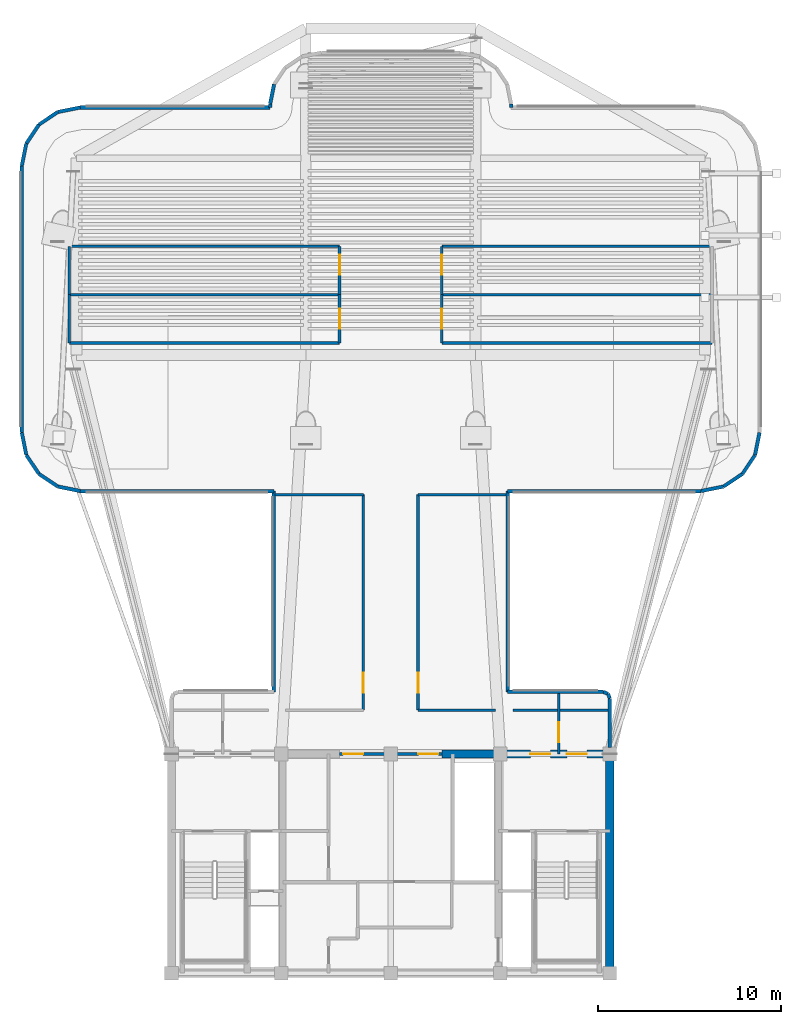
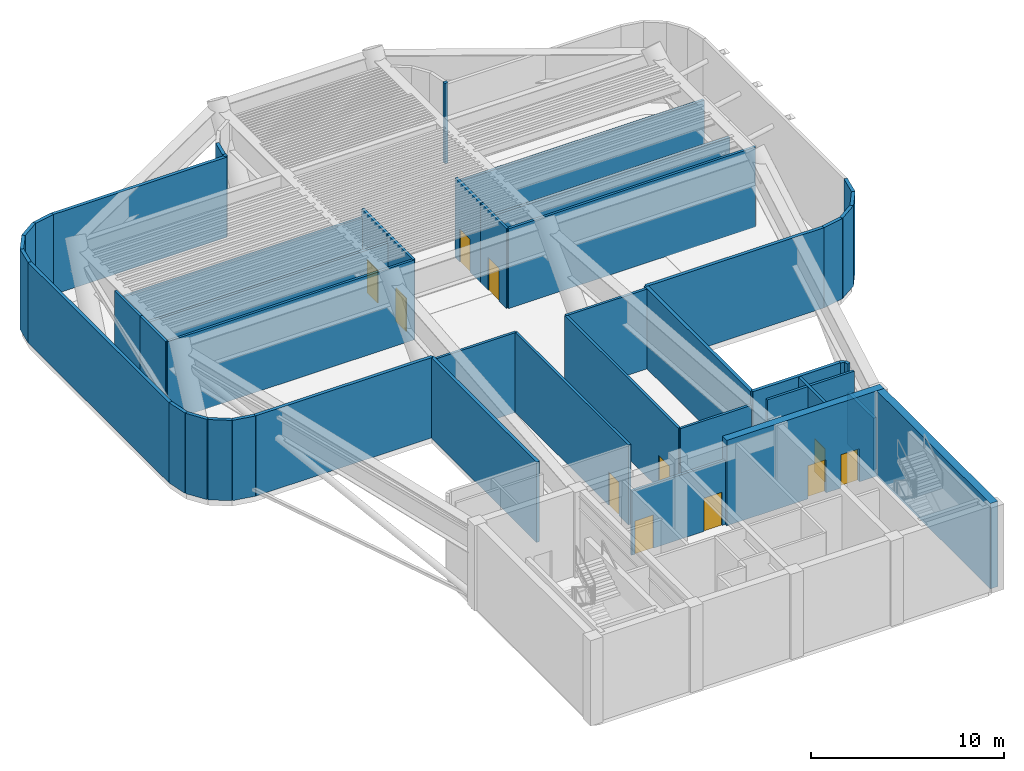
# One storey, part 6 of 11: 47 walls, 11 doors, 11 openings.
"""IFC4 building model written with IfcOpenShell, lengths in metres."""

from ifc_helpers import new_model, si_unit, direction, frame, frame_2d, origin, origin_2d, place, context, subcontext, project, spatial, rectangle, extrude, source, transform, mapped, material, layer, layer_set, type_object, element, fill, save


model = new_model("IFC4")

# Units and contexts
model_context = context("Model", 3, precision=1e-05, world=origin(), true_north=direction((0.0, 1.0)))
body_context = subcontext(model_context, "Body", "Model", "MODEL_VIEW")
ifc_project = project(units=[si_unit("LENGTHUNIT", "METRE"), si_unit("AREAUNIT", "SQUARE_METRE"), si_unit("VOLUMEUNIT", "CUBIC_METRE"), si_unit("PLANEANGLEUNIT", "RADIAN"), si_unit("MASSUNIT", "GRAM", prefix="KILO")], contexts=[model_context])

# Site, building, storey
site_placement = place(None, origin())
site = spatial("IfcSite", under=ifc_project, at=site_placement, CompositionType="ELEMENT")
building_placement = place(site_placement, origin())
building = spatial("IfcBuilding", under=site, at=building_placement, Name="Brelvock Crest Care Tower", CompositionType="ELEMENT")
storey_placement = place(building_placement, frame((0.0, 0.0, 213.1201171875)))
storey = spatial("IfcBuildingStorey", under=building, at=storey_placement, Name="L54", CompositionType="ELEMENT", Elevation=213.1201171875)

# Wall
ifc_material_1 = material(Name="Concrete S65 (65 MPa)", Category="concrete")
ifc_layer_1 = layer(ifc_material_1, 0.449951171875, Name="WL-CS3")
ifc_layer_set_1 = layer_set([ifc_layer_1], Name="Concrete S65 (65 MPa)")
wall_type_1 = type_object("IfcWallType", Name="WL-CS3", PredefinedType="SHEAR", material=ifc_layer_set_1)
wall_1_placement = place(storey_placement, frame((48.0, 18.0, 0.0), z_axis=(0.0, 0.0, 1.0), x_axis=(0.0, -1.0, 0.0)))
element("IfcWall", 1, at=wall_1_placement, inside=storey, type_object=wall_type_1, Name="L54 Core East Shear Wall", PredefinedType="SHEAR", context=body_context, shape_type="SweptSolid", body=[
    extrude(rectangle(XDim=12.0, YDim=0.449951171875, at=frame_2d((6.0, 0.0))), origin(), (0.0, 0.0, 1.0), 5.39990234375),
])

# Wall, openings, doors
wall_2_placement = place(storey_placement, frame((38.800048828125, 18.0, 0.0), z_axis=(0.0, 0.0, 1.0), x_axis=(1.0, 0.0, 0.0)))
wall_2 = element("IfcWall", 2, at=wall_2_placement, inside=storey, type_object=wall_type_1, Name="L54 Core North-East Shear Wall", PredefinedType="SHEAR", context=body_context, shape_type="SweptSolid", body=[
    extrude(rectangle(XDim=9.425048828125, YDim=0.449951171875, at=frame_2d((4.71240234375, 0.0))), origin(), (0.0, 0.0, 1.0), 5.39990234375),
])
opening_1_placement = place(wall_2_placement, frame((4.85009765625, 0.0, 0.0)))
opening_1 = element("IfcOpeningElement", 3, at=opening_1_placement, cuts=wall_2, Name="Opening FD-1", PredefinedType="OPENING", context=body_context, shape_type="SweptSolid", body=[
    extrude(rectangle(XDim=1.10009765625, YDim=2.10009765625, at=origin_2d()), frame((0.550048828125, 0.23486328125, 1.050048828125), z_axis=(0.0, -1.0, 0.0), x_axis=(1.0, 0.0, 0.0)), (0.0, 0.0, 1.0), 0.469970703125),
])
opening_2_placement = place(wall_2_placement, frame((6.85009765625, 0.0, 0.0)))
opening_2 = element("IfcOpeningElement", 4, at=opening_2_placement, cuts=wall_2, Name="Opening FD-1", PredefinedType="OPENING", context=body_context, shape_type="SweptSolid", body=[
    extrude(rectangle(XDim=1.10009765625, YDim=2.10009765625, at=origin_2d()), frame((0.550048828125, 0.23486328125, 1.050048828125), z_axis=(0.0, -1.0, 0.0), x_axis=(1.0, 0.0, 0.0)), (0.0, 0.0, 1.0), 0.469970703125),
])
ifc_material_2 = material(Name="Steel Grade 350", Category="steel")
door_type_1 = type_object("IfcDoorType", Name="DR-FFL1", OperationType="NOTDEFINED", PredefinedType="DOOR", material=ifc_material_2)
shared_shape_1 = source(origin(), body_context, "Body", "SweptSolid", [
    extrude(rectangle(XDim=1.10009765625, YDim=2.10009765625, at=origin_2d()), frame((0.550048828125, 0.02490234375, 1.050048828125), z_axis=(0.0, -1.0, 0.0), x_axis=(1.0, 0.0, 0.0)), (0.0, 0.0, 1.0), 0.050048828125),
])
door_1_placement = place(opening_1_placement, origin())
door_1 = element("IfcDoor", 5, at=door_1_placement, inside=storey, type_object=door_type_1, Name="L54 Firefighting Lobby FFL-2 Corridor Exit Door", OperationType="SINGLE_SWING_LEFT", OverallHeight=2.10009765625, OverallWidth=1.10009765625, PredefinedType="DOOR", context=body_context, shape_type="MappedRepresentation", body=[
    mapped(shared_shape_1, transform((0.0, 0.0, 0.0), x_axis=(1.0, 0.0, 0.0), y_axis=(0.0, 1.0, 0.0), z_axis=(0.0, 0.0, 1.0), scale=1.0)),
])
fill(opening_1, door_1)
door_2_placement = place(opening_2_placement, origin())
door_2 = element("IfcDoor", 6, at=door_2_placement, inside=storey, type_object=door_type_1, Name="L54 Firefighting Lobby FFL-2 Refuge Door", OperationType="SINGLE_SWING_RIGHT", OverallHeight=2.10009765625, OverallWidth=1.10009765625, PredefinedType="DOOR", context=body_context, shape_type="MappedRepresentation", body=[
    mapped(shared_shape_1, transform((0.0, 0.0, 0.0), x_axis=(1.0, 0.0, 0.0), y_axis=(0.0, 1.0, 0.0), z_axis=(0.0, 0.0, 1.0), scale=1.0)),
])
fill(opening_2, door_2)

# Walls
ifc_material_3 = material(Name="Precast concrete N40 (40 MPa)", Category="concrete")
ifc_layer_2 = layer(ifc_material_3, 0.195068359375, Name="WL-EX3")
ifc_layer_set_2 = layer_set([ifc_layer_2], Name="Precast concrete N40 (40 MPa)")
wall_type_2 = type_object("IfcWallType", Name="WL-EX3", PredefinedType="SOLIDWALL", material=ifc_layer_set_2)
wall_3_placement = place(storey_placement, frame((47.8974609375, 21.297607421875, 0.0), z_axis=(0.0, 0.0, 1.0), x_axis=(0.382673670509, -0.923883575944, 0.0)))
element("IfcWall", 7, at=wall_3_placement, inside=storey, type_object=wall_type_2, Name="L54 Crown and Plant Cladding Wall 00", PredefinedType="SOLIDWALL", context=body_context, shape_type="SweptSolid", body=[
    extrude(rectangle(XDim=0.26806640625, YDim=0.195068359375, at=frame_2d((0.134033203125, 0.0))), origin(), (0.0, 0.0, 1.0), 5.079833984375),
])
wall_4_placement = place(storey_placement, frame((48.0, 21.050048828125, 0.0), z_axis=(0.0, 0.0, 1.0), x_axis=(0.0, -1.0, 0.0)))
element("IfcWall", 8, at=wall_4_placement, inside=storey, type_object=wall_type_2, Name="L54 Crown and Plant Cladding Wall 01", PredefinedType="SOLIDWALL", context=body_context, shape_type="SweptSolid", body=[
    extrude(rectangle(XDim=2.695068359375, YDim=0.195068359375, at=frame_2d((1.34765625, 0.0))), origin(), (0.0, 0.0, 1.0), 3.267822265625),
])
wall_5_placement = place(storey_placement, frame((29.60009765625, 21.39990234375, 0.0), z_axis=(0.0, 0.0, 1.0), x_axis=(0.0, 1.0, 0.0)))
element("IfcWall", 9, at=wall_5_placement, inside=storey, type_object=wall_type_2, Name="L54 Crown and Plant Cladding Wall 11", PredefinedType="SOLIDWALL", context=body_context, shape_type="SweptSolid", body=[
    extrude(rectangle(XDim=11.0, YDim=0.195068359375, at=frame_2d((5.5, 0.0))), origin(), (0.0, 0.0, 1.0), 5.079833984375),
])
wall_6_placement = place(storey_placement, frame((29.60009765625, 32.39990234375, 0.0), z_axis=(0.0, 0.0, 1.0), x_axis=(-1.0, 0.0, 0.0)))
element("IfcWall", 10, at=wall_6_placement, inside=storey, type_object=wall_type_2, Name="L54 Crown and Plant Cladding Wall 12", PredefinedType="SOLIDWALL", context=body_context, shape_type="SweptSolid", body=[
    extrude(rectangle(XDim=10.60009765625, YDim=0.195068359375, at=frame_2d((5.300048828125, 0.0))), origin(), (0.0, 0.0, 1.0), 5.079833984375),
])
for number, where, z_axis, x_axis, name in (
    (11, (19.0, 32.39990234375, 0.0), (0.0, 0.0, 1.0), (-0.980775717779, 0.195138390419, 0.0), "L54 Crown and Plant Cladding Wall 13"),
    (12, (17.775390625, 32.6435546875, 0.0), (0.0, 0.0, 1.0), (-0.831387912822, 0.555692485475, 0.0), "L54 Crown and Plant Cladding Wall 14"),
    (13, (16.7373046875, 33.33740234375, 0.0), (0.0, 0.0, 1.0), (-0.555557312883, 0.831478245117, 0.0), "L54 Crown and Plant Cladding Wall 15"),
    (14, (16.043701171875, 34.37548828125, 0.0), (0.0, 0.0, 1.0), (-0.195138390419, 0.980775717779, 0.0), "L54 Crown and Plant Cladding Wall 16"),
):
    element("IfcWall", number, at=place(storey_placement, frame(where, z_axis=z_axis, x_axis=x_axis)), inside=storey, type_object=wall_type_2, Name=name, PredefinedType="SOLIDWALL", context=body_context, shape_type="SweptSolid", body=[
        extrude(rectangle(XDim=1.24853515625, YDim=0.195068359375, at=frame_2d((0.624267578125, 0.0))), origin(), (0.0, 0.0, 1.0), 5.079833984375),
    ])
wall_7_placement = place(storey_placement, frame((15.800048828125, 35.60009765625, 0.0), z_axis=(0.0, 0.0, 1.0), x_axis=(0.0, 1.0, 0.0)))
element("IfcWall", 15, at=wall_7_placement, inside=storey, type_object=wall_type_2, Name="L54 Crown and Plant Cladding Wall 17", PredefinedType="SOLIDWALL", context=body_context, shape_type="SweptSolid", body=[
    extrude(rectangle(XDim=14.599853515625, YDim=0.195068359375, at=frame_2d((7.2998046875, 0.0))), origin(), (0.0, 0.0, 1.0), 5.079833984375),
])
for number, where, z_axis, x_axis, name in (
    (16, (15.800048828125, 50.199951171875, 0.0), (0.0, 0.0, 1.0), (0.195138390419, 0.980775717779, 0.0), "L54 Crown and Plant Cladding Wall 18"),
    (17, (16.043701171875, 51.424560546875, 0.0), (0.0, 0.0, 1.0), (0.555557312883, 0.831478245117, 0.0), "L54 Crown and Plant Cladding Wall 19"),
    (18, (16.7373046875, 52.462646484375, 0.0), (0.0, 0.0, 1.0), (0.831387912822, 0.555692485475, 0.0), "L54 Crown and Plant Cladding Wall 20"),
    (19, (17.775390625, 53.156494140625, 0.0), (0.0, 0.0, 1.0), (0.980813122964, 0.194950295773, 0.0), "L54 Crown and Plant Cladding Wall 21"),
):
    element("IfcWall", number, at=place(storey_placement, frame(where, z_axis=z_axis, x_axis=x_axis)), inside=storey, type_object=wall_type_2, Name=name, PredefinedType="SOLIDWALL", context=body_context, shape_type="SweptSolid", body=[
        extrude(rectangle(XDim=1.24853515625, YDim=0.195068359375, at=frame_2d((0.624267578125, 0.0))), origin(), (0.0, 0.0, 1.0), 5.079833984375),
    ])
wall_8_placement = place(storey_placement, frame((19.0, 53.39990234375, 0.0), z_axis=(0.0, 0.0, 1.0), x_axis=(1.0, 0.0, 0.0)))
element("IfcWall", 20, at=wall_8_placement, inside=storey, type_object=wall_type_2, Name="L54 Crown and Plant Cladding Wall 22", PredefinedType="SOLIDWALL", context=body_context, shape_type="SweptSolid", body=[
    extrude(rectangle(XDim=10.39990234375, YDim=0.195068359375, at=frame_2d((5.199951171875, 0.0))), origin(), (0.0, 0.0, 1.0), 5.079833984375),
])
wall_9_placement = place(storey_placement, frame((29.39990234375, 53.39990234375, 0.0), z_axis=(0.0, 0.0, 1.0), x_axis=(0.0, 1.0, 0.0)))
element("IfcWall", 21, at=wall_9_placement, inside=storey, type_object=wall_type_2, Name="L54 Crown and Plant Cladding Wall 23", PredefinedType="SOLIDWALL", context=body_context, shape_type="SweptSolid", body=[
    extrude(rectangle(XDim=0.2001953125, YDim=0.195068359375, at=frame_2d((0.10009765625, 0.0))), origin(), (0.0, 0.0, 1.0), 5.079833984375),
])
wall_10_placement = place(storey_placement, frame((29.39990234375, 53.60009765625, 0.0), z_axis=(0.0, 0.0, 1.0), x_axis=(0.195127417394, 0.980777900945, 0.0)))
element("IfcWall", 22, at=wall_10_placement, inside=storey, type_object=wall_type_2, Name="L54 Crown and Plant Cladding Wall 24", PredefinedType="SOLIDWALL", context=body_context, shape_type="SweptSolid", body=[
    extrude(rectangle(XDim=1.09228515625, YDim=0.195068359375, at=frame_2d((0.546142578125, 0.0))), origin(), (0.0, 0.0, 1.0), 5.079833984375),
])
wall_11_placement = place(storey_placement, frame((42.60009765625, 53.60009765625, 0.0), z_axis=(0.0, 0.0, 1.0), x_axis=(0.0, -1.0, 0.0)))
element("IfcWall", 23, at=wall_11_placement, inside=storey, type_object=wall_type_2, Name="L54 Crown and Plant Cladding Wall 33", PredefinedType="SOLIDWALL", context=body_context, shape_type="SweptSolid", body=[
    extrude(rectangle(XDim=0.2001953125, YDim=0.195068359375, at=frame_2d((0.10009765625, 0.0))), origin(), (0.0, 0.0, 1.0), 5.079833984375),
])
for number, where, z_axis, x_axis, name in (
    (24, (56.199951171875, 35.60009765625, 0.0), (0.0, 0.0, 1.0), (-0.195138390419, -0.980775717779, 0.0), "L54 Crown and Plant Cladding Wall 40"),
    (25, (55.956298828125, 34.37548828125, 0.0), (0.0, 0.0, 1.0), (-0.555557312883, -0.831478245117, 0.0), "L54 Crown and Plant Cladding Wall 41"),
    (26, (55.2626953125, 33.33740234375, 0.0), (0.0, 0.0, 1.0), (-0.831387912822, -0.555692485475, 0.0), "L54 Crown and Plant Cladding Wall 42"),
    (27, (54.224609375, 32.6435546875, 0.0), (0.0, 0.0, 1.0), (-0.980775717779, -0.195138390419, 0.0), "L54 Crown and Plant Cladding Wall 43"),
):
    element("IfcWall", number, at=place(storey_placement, frame(where, z_axis=z_axis, x_axis=x_axis)), inside=storey, type_object=wall_type_2, Name=name, PredefinedType="SOLIDWALL", context=body_context, shape_type="SweptSolid", body=[
        extrude(rectangle(XDim=1.24853515625, YDim=0.195068359375, at=frame_2d((0.624267578125, 0.0))), origin(), (0.0, 0.0, 1.0), 5.079833984375),
    ])
wall_12_placement = place(storey_placement, frame((53.0, 32.39990234375, 0.0), z_axis=(0.0, 0.0, 1.0), x_axis=(-1.0, 0.0, 0.0)))
element("IfcWall", 28, at=wall_12_placement, inside=storey, type_object=wall_type_2, Name="L54 Crown and Plant Cladding Wall 44", PredefinedType="SOLIDWALL", context=body_context, shape_type="SweptSolid", body=[
    extrude(rectangle(XDim=10.60009765625, YDim=0.195068359375, at=frame_2d((5.300048828125, 0.0))), origin(), (0.0, 0.0, 1.0), 5.079833984375),
])
wall_13_placement = place(storey_placement, frame((42.39990234375, 32.39990234375, 0.0), z_axis=(0.0, 0.0, 1.0), x_axis=(0.0, -1.0, 0.0)))
element("IfcWall", 29, at=wall_13_placement, inside=storey, type_object=wall_type_2, Name="L54 Crown and Plant Cladding Wall 45", PredefinedType="SOLIDWALL", context=body_context, shape_type="SweptSolid", body=[
    extrude(rectangle(XDim=11.0, YDim=0.195068359375, at=frame_2d((5.5, 0.0))), origin(), (0.0, 0.0, 1.0), 5.079833984375),
])
wall_14_placement = place(storey_placement, frame((42.39990234375, 21.39990234375, 0.0), z_axis=(0.0, 0.0, 1.0), x_axis=(1.0, 0.0, 0.0)))
element("IfcWall", 30, at=wall_14_placement, inside=storey, type_object=wall_type_2, Name="L54 Crown and Plant Cladding Wall 46", PredefinedType="SOLIDWALL", context=body_context, shape_type="SweptSolid", body=[
    extrude(rectangle(XDim=5.25, YDim=0.195068359375, at=frame_2d((2.625, 0.0))), origin(), (0.0, 0.0, 1.0), 5.079833984375),
])
wall_15_placement = place(storey_placement, frame((47.64990234375, 21.39990234375, 0.0), z_axis=(0.0, 0.0, 1.0), x_axis=(0.924205486139, -0.381895560841, 0.0)))
element("IfcWall", 31, at=wall_15_placement, inside=storey, type_object=wall_type_2, Name="L54 Crown and Plant Cladding Wall 47", PredefinedType="SOLIDWALL", context=body_context, shape_type="SweptSolid", body=[
    extrude(rectangle(XDim=0.267822265625, YDim=0.195068359375, at=frame_2d((0.1337890625, 0.0))), origin(), (0.0, 0.0, 1.0), 5.079833984375),
])

# Wall, openings, doors
ifc_material_4 = material(Name="Masonry Blockwork Acoustic Partition", Category="masonry")
ifc_layer_3 = layer(ifc_material_4, 0.14990234375, Name="WL-INT1")
ifc_layer_set_3 = layer_set([ifc_layer_3], Name="Masonry Blockwork Acoustic Partition")
wall_type_3 = type_object("IfcWallType", Name="WL-INT1", PredefinedType="PARTITIONING", material=ifc_layer_set_3)
wall_16_placement = place(storey_placement, frame((33.199951171875, 18.0, 0.0), z_axis=(0.0, 0.0, 1.0), x_axis=(1.0, 0.0, 0.0)))
wall_16 = element("IfcWall", 32, at=wall_16_placement, inside=storey, type_object=wall_type_3, Name="L54 Interior Wall WL-CORE-NPORT-L54", PredefinedType="PARTITIONING", context=body_context, shape_type="SweptSolid", body=[
    extrude(rectangle(XDim=5.60009765625, YDim=0.14990234375, at=frame_2d((2.800048828125, 0.0))), origin(), (0.0, 0.0, 1.0), 4.06494140625),
])
opening_3_placement = place(wall_16_placement, frame((0.18994140625, 0.0, 0.0)))
opening_3 = element("IfcOpeningElement", 33, at=opening_3_placement, cuts=wall_16, Name="Opening FD-1", PredefinedType="OPENING", context=body_context, shape_type="SweptSolid", body=[
    extrude(rectangle(XDim=1.10009765625, YDim=2.10009765625, at=origin_2d()), frame((0.550048828125, 0.0849609375, 1.050048828125), z_axis=(0.0, -1.0, 0.0), x_axis=(1.0, 0.0, 0.0)), (0.0, 0.0, 1.0), 0.169921875),
])
opening_4_placement = place(wall_16_placement, frame((4.31005859375, 0.0, 0.0)))
opening_4 = element("IfcOpeningElement", 34, at=opening_4_placement, cuts=wall_16, Name="Opening FD-1", PredefinedType="OPENING", context=body_context, shape_type="SweptSolid", body=[
    extrude(rectangle(XDim=1.10009765625, YDim=2.10009765625, at=origin_2d()), frame((0.550048828125, 0.0849609375, 1.050048828125), z_axis=(0.0, -1.0, 0.0), x_axis=(1.0, 0.0, 0.0)), (0.0, 0.0, 1.0), 0.169921875),
])
door_3_placement = place(opening_3_placement, origin())
door_3 = element("IfcDoor", 35, at=door_3_placement, inside=storey, type_object=door_type_1, Name="L54 Lift Lobby North Smoke Door West", OperationType="SINGLE_SWING_LEFT", OverallHeight=2.10009765625, OverallWidth=1.10009765625, PredefinedType="DOOR", context=body_context, shape_type="MappedRepresentation", body=[
    mapped(shared_shape_1, transform((0.0, 0.0, 0.0), x_axis=(1.0, 0.0, 0.0), y_axis=(0.0, 1.0, 0.0), z_axis=(0.0, 0.0, 1.0), scale=1.0)),
])
fill(opening_3, door_3)
door_4_placement = place(opening_4_placement, origin())
door_4 = element("IfcDoor", 36, at=door_4_placement, inside=storey, type_object=door_type_1, Name="L54 Lift Lobby North Smoke Door East", OperationType="SINGLE_SWING_RIGHT", OverallHeight=2.10009765625, OverallWidth=1.10009765625, PredefinedType="DOOR", context=body_context, shape_type="MappedRepresentation", body=[
    mapped(shared_shape_1, transform((0.0, 0.0, 0.0), x_axis=(1.0, 0.0, 0.0), y_axis=(0.0, 1.0, 0.0), z_axis=(0.0, 0.0, 1.0), scale=1.0)),
])
fill(opening_4, door_4)

# Walls
wall_17_placement = place(storey_placement, frame((37.5, 20.39990234375, 0.0), z_axis=(0.0, 0.0, 1.0), x_axis=(1.0, 0.0, 0.0)))
element("IfcWall", 37, at=wall_17_placement, inside=storey, type_object=wall_type_3, Name="L54 Interior Wall WL-BX-L54-REFNE-S", PredefinedType="PARTITIONING", context=body_context, shape_type="SweptSolid", body=[
    extrude(rectangle(XDim=4.25, YDim=0.14990234375, at=frame_2d((2.125, 0.0))), origin(), (0.0, 0.0, 1.0), 5.0498046875),
])
wall_18_placement = place(storey_placement, frame((42.699951171875, 20.39990234375, 0.0), z_axis=(0.0, 0.0, 1.0), x_axis=(1.0, 0.0, 0.0)))
element("IfcWall", 38, at=wall_18_placement, inside=storey, type_object=wall_type_3, Name="L54 Interior Wall WL-BX-L54-REFE-N", PredefinedType="PARTITIONING", context=body_context, shape_type="SweptSolid", body=[
    extrude(rectangle(XDim=5.219970703125, YDim=0.14990234375, at=frame_2d((2.60986328125, 0.0))), origin(), (0.0, 0.0, 1.0), 5.0498046875),
])
for number, where, z_axis, x_axis, name in (
    (39, (29.678466796875, 32.199951171875, 0.0), (0.0, 0.0, 1.0), (1.0, 0.0, 0.0), "L54 Interior Wall WL-BX-L54-REFNW-N"),
    (40, (37.5, 32.199951171875, 0.0), (0.0, 0.0, 1.0), (1.0, 0.0, 0.0), "L54 Interior Wall WL-BX-L54-REFNE-N"),
):
    element("IfcWall", number, at=place(storey_placement, frame(where, z_axis=z_axis, x_axis=x_axis)), inside=storey, type_object=wall_type_3, Name=name, PredefinedType="PARTITIONING", context=body_context, shape_type="SweptSolid", body=[
        extrude(rectangle(XDim=4.821533203125, YDim=0.14990234375, at=frame_2d((2.41064453125, 0.0))), origin(), (0.0, 0.0, 1.0), 5.0498046875),
    ])
for number, where, z_axis, x_axis, name in (
    (41, (18.39990234375, 40.5, 0.0), (0.0, 0.0, 1.0), (1.0, 0.0, 0.0), "L54 Interior Wall WL-BX-L54-AHUW-S"),
    (42, (38.800048828125, 40.5, 0.0), (0.0, 0.0, 1.0), (1.0, 0.0, 0.0), "L54 Interior Wall WL-BX-L54-CHLE-S"),
):
    element("IfcWall", number, at=place(storey_placement, frame(where, z_axis=z_axis, x_axis=x_axis)), inside=storey, type_object=wall_type_3, Name=name, PredefinedType="PARTITIONING", context=body_context, shape_type="SweptSolid", body=[
        extrude(rectangle(XDim=14.800048828125, YDim=0.14990234375, at=frame_2d((7.39990234375, 0.0))), origin(), (0.0, 0.0, 1.0), 5.0498046875),
    ])
wall_19_placement = place(storey_placement, frame((18.39990234375, 43.14990234375, 0.0), z_axis=(0.0, 0.0, 1.0), x_axis=(1.0, 0.0, 0.0)))
element("IfcWall", 43, at=wall_19_placement, inside=storey, type_object=wall_type_3, Name="L54 Interior Wall WL-BX-L54-AHUW-N", PredefinedType="PARTITIONING", context=body_context, shape_type="SweptSolid", body=[
    extrude(rectangle(XDim=14.800048828125, YDim=0.14990234375, at=frame_2d((7.39990234375, 0.0))), origin(), (0.0, 0.0, 1.0), 4.531982421875),
])
wall_20_placement = place(storey_placement, frame((38.800048828125, 43.14990234375, 0.0), z_axis=(0.0, 0.0, 1.0), x_axis=(1.0, 0.0, 0.0)))
element("IfcWall", 44, at=wall_20_placement, inside=storey, type_object=wall_type_3, Name="L54 Interior Wall WL-BX-L54-CHLE-N", PredefinedType="PARTITIONING", context=body_context, shape_type="SweptSolid", body=[
    extrude(rectangle(XDim=14.800048828125, YDim=0.14990234375, at=frame_2d((7.39990234375, 0.0))), origin(), (0.0, 0.0, 1.0), 4.06494140625),
])
wall_21_placement = place(storey_placement, frame((18.39990234375, 45.800048828125, 0.0), z_axis=(0.0, 0.0, 1.0), x_axis=(1.0, 0.0, 0.0)))
element("IfcWall", 45, at=wall_21_placement, inside=storey, type_object=wall_type_3, Name="L54 Interior Wall WL-BX-L54-PMPW-N", PredefinedType="PARTITIONING", context=body_context, shape_type="SweptSolid", body=[
    extrude(rectangle(XDim=14.800048828125, YDim=0.14990234375, at=frame_2d((7.39990234375, 0.0))), origin(), (0.0, 0.0, 1.0), 4.531982421875),
])
wall_22_placement = place(storey_placement, frame((38.800048828125, 45.800048828125, 0.0), z_axis=(0.0, 0.0, 1.0), x_axis=(1.0, 0.0, 0.0)))
element("IfcWall", 46, at=wall_22_placement, inside=storey, type_object=wall_type_3, Name="L54 Interior Wall WL-BX-L54-SWGE-N", PredefinedType="PARTITIONING", context=body_context, shape_type="SweptSolid", body=[
    extrude(rectangle(XDim=14.800048828125, YDim=0.14990234375, at=frame_2d((7.39990234375, 0.0))), origin(), (0.0, 0.0, 1.0), 4.808837890625),
])
wall_23_placement = place(storey_placement, frame((18.39990234375, 40.5, 0.0), z_axis=(0.0, 0.0, 1.0), x_axis=(0.0, 1.0, 0.0)))
element("IfcWall", 47, at=wall_23_placement, inside=storey, type_object=wall_type_3, Name="L54 Interior Wall WL-BX-L54-AHUW-W", PredefinedType="PARTITIONING", context=body_context, shape_type="SweptSolid", body=[
    extrude(rectangle(XDim=2.64990234375, YDim=0.14990234375, at=frame_2d((1.324951171875, 0.0))), origin(), (0.0, 0.0, 1.0), 5.0498046875),
])
wall_24_placement = place(storey_placement, frame((18.39990234375, 43.14990234375, 0.0), z_axis=(0.0, 0.0, 1.0), x_axis=(0.0, 1.0, 0.0)))
element("IfcWall", 48, at=wall_24_placement, inside=storey, type_object=wall_type_3, Name="L54 Interior Wall WL-BX-L54-PMPW-W", PredefinedType="PARTITIONING", context=body_context, shape_type="SweptSolid", body=[
    extrude(rectangle(XDim=2.650146484375, YDim=0.14990234375, at=frame_2d((1.3251953125, 0.0))), origin(), (0.0, 0.0, 1.0), 5.0498046875),
])

# Wall, opening, door
wall_25_placement = place(storey_placement, frame((33.199951171875, 40.5, 0.0), z_axis=(0.0, 0.0, 1.0), x_axis=(0.0, 1.0, 0.0)))
wall_25 = element("IfcWall", 49, at=wall_25_placement, inside=storey, type_object=wall_type_3, Name="L54 Interior Wall WL-RM-L54-AHUW", PredefinedType="PARTITIONING", context=body_context, shape_type="SweptSolid", body=[
    extrude(rectangle(XDim=2.64990234375, YDim=0.14990234375, at=frame_2d((1.324951171875, 0.0))), origin(), (0.0, 0.0, 1.0), 5.0498046875),
])
opening_5_placement = place(wall_25_placement, frame((0.77490234375, 0.0, 0.0)))
opening_5 = element("IfcOpeningElement", 50, at=opening_5_placement, cuts=wall_25, Name="Opening PD-1", PredefinedType="OPENING", context=body_context, shape_type="SweptSolid", body=[
    extrude(rectangle(XDim=1.10009765625, YDim=2.10009765625, at=origin_2d()), frame((0.550048828125, 0.0849609375, 1.050048828125), z_axis=(0.0, -1.0, 0.0), x_axis=(1.0, 0.0, 0.0)), (0.0, 0.0, 1.0), 0.169921875),
])
door_type_2 = type_object("IfcDoorType", Name="DR-PLT1", OperationType="NOTDEFINED", PredefinedType="DOOR", material=ifc_material_2)
shared_shape_2 = source(origin(), body_context, "Body", "SweptSolid", [
    extrude(rectangle(XDim=1.10009765625, YDim=2.10009765625, at=origin_2d()), frame((0.550048828125, 0.02490234375, 1.050048828125), z_axis=(0.0, -1.0, 0.0), x_axis=(1.0, 0.0, 0.0)), (0.0, 0.0, 1.0), 0.050048828125),
])
door_5_placement = place(opening_5_placement, origin())
door_5 = element("IfcDoor", 51, at=door_5_placement, inside=storey, type_object=door_type_2, Name="L54 Zone Air Handling Mechanical Plant Door AHUW", OperationType="SINGLE_SWING_LEFT", OverallHeight=2.10009765625, OverallWidth=1.10009765625, PredefinedType="DOOR", context=body_context, shape_type="MappedRepresentation", body=[
    mapped(shared_shape_2, transform((0.0, 0.0, 0.0), x_axis=(1.0, 0.0, 0.0), y_axis=(0.0, 1.0, 0.0), z_axis=(0.0, 0.0, 1.0), scale=1.0)),
])
fill(opening_5, door_5)

wall_26_placement = place(storey_placement, frame((33.199951171875, 43.14990234375, 0.0), z_axis=(0.0, 0.0, 1.0), x_axis=(0.0, 1.0, 0.0)))
wall_26 = element("IfcWall", 52, at=wall_26_placement, inside=storey, type_object=wall_type_3, Name="L54 Interior Wall WL-RM-L54-PMPW", PredefinedType="PARTITIONING", context=body_context, shape_type="SweptSolid", body=[
    extrude(rectangle(XDim=2.650146484375, YDim=0.14990234375, at=frame_2d((1.3251953125, 0.0))), origin(), (0.0, 0.0, 1.0), 5.0498046875),
])
opening_6_placement = place(wall_26_placement, frame((1.094970703125, 0.0, 0.0)))
opening_6 = element("IfcOpeningElement", 53, at=opening_6_placement, cuts=wall_26, Name="Opening PD-1", PredefinedType="OPENING", context=body_context, shape_type="SweptSolid", body=[
    extrude(rectangle(XDim=1.10009765625, YDim=2.10009765625, at=origin_2d()), frame((0.550048828125, 0.0849609375, 1.050048828125), z_axis=(0.0, -1.0, 0.0), x_axis=(1.0, 0.0, 0.0)), (0.0, 0.0, 1.0), 0.169921875),
])
door_6_placement = place(opening_6_placement, origin())
door_6 = element("IfcDoor", 54, at=door_6_placement, inside=storey, type_object=door_type_2, Name="L54 Domestic Booster Pump Plant Room Door PMPW", OperationType="SINGLE_SWING_LEFT", OverallHeight=2.10009765625, OverallWidth=1.10009765625, PredefinedType="DOOR", context=body_context, shape_type="MappedRepresentation", body=[
    mapped(shared_shape_2, transform((0.0, 0.0, 0.0), x_axis=(1.0, 0.0, 0.0), y_axis=(0.0, 1.0, 0.0), z_axis=(0.0, 0.0, 1.0), scale=1.0)),
])
fill(opening_6, door_6)

wall_27_placement = place(storey_placement, frame((34.5, 20.39990234375, 0.0), z_axis=(0.0, 0.0, 1.0), x_axis=(0.0, 1.0, 0.0)))
wall_27 = element("IfcWall", 55, at=wall_27_placement, inside=storey, type_object=wall_type_3, Name="L54 Interior Wall WL-RM-L54-REFNW", PredefinedType="PARTITIONING", context=body_context, shape_type="SweptSolid", body=[
    extrude(rectangle(XDim=11.800048828125, YDim=0.14990234375, at=frame_2d((5.89990234375, 0.0))), origin(), (0.0, 0.0, 1.0), 5.0498046875),
])
opening_7_placement = place(wall_27_placement, frame((0.949951171875, 0.0, 0.0)))
opening_7 = element("IfcOpeningElement", 56, at=opening_7_placement, cuts=wall_27, Name="Opening PD-1", PredefinedType="OPENING", context=body_context, shape_type="SweptSolid", body=[
    extrude(rectangle(XDim=1.10009765625, YDim=2.10009765625, at=origin_2d()), frame((0.550048828125, 0.0849609375, 1.050048828125), z_axis=(0.0, -1.0, 0.0), x_axis=(1.0, 0.0, 0.0)), (0.0, 0.0, 1.0), 0.169921875),
])
door_7_placement = place(opening_7_placement, origin())
door_7 = element("IfcDoor", 57, at=door_7_placement, inside=storey, type_object=door_type_2, Name="L54 Protected Fire Refuge Holding Area North-West REFNW Door REFNW", OperationType="SINGLE_SWING_LEFT", OverallHeight=2.10009765625, OverallWidth=1.10009765625, PredefinedType="DOOR", context=body_context, shape_type="MappedRepresentation", body=[
    mapped(shared_shape_2, transform((0.0, 0.0, 0.0), x_axis=(1.0, 0.0, 0.0), y_axis=(0.0, 1.0, 0.0), z_axis=(0.0, 0.0, 1.0), scale=1.0)),
])
fill(opening_7, door_7)

wall_28_placement = place(storey_placement, frame((37.5, 20.39990234375, 0.0), z_axis=(0.0, 0.0, 1.0), x_axis=(0.0, 1.0, 0.0)))
wall_28 = element("IfcWall", 58, at=wall_28_placement, inside=storey, type_object=wall_type_3, Name="L54 Interior Wall WL-RM-L54-REFNE", PredefinedType="PARTITIONING", context=body_context, shape_type="SweptSolid", body=[
    extrude(rectangle(XDim=11.800048828125, YDim=0.14990234375, at=frame_2d((5.89990234375, 0.0))), origin(), (0.0, 0.0, 1.0), 5.0498046875),
])
opening_8_placement = place(wall_28_placement, frame((0.949951171875, 0.0, 0.0)))
opening_8 = element("IfcOpeningElement", 59, at=opening_8_placement, cuts=wall_28, Name="Opening PD-1", PredefinedType="OPENING", context=body_context, shape_type="SweptSolid", body=[
    extrude(rectangle(XDim=1.10009765625, YDim=2.10009765625, at=origin_2d()), frame((0.550048828125, 0.0849609375, 1.050048828125), z_axis=(0.0, -1.0, 0.0), x_axis=(1.0, 0.0, 0.0)), (0.0, 0.0, 1.0), 0.169921875),
])
door_8_placement = place(opening_8_placement, origin())
door_8 = element("IfcDoor", 60, at=door_8_placement, inside=storey, type_object=door_type_2, Name="L54 Protected Fire Refuge Holding Area North-East REFNE Door REFNE", OperationType="SINGLE_SWING_LEFT", OverallHeight=2.10009765625, OverallWidth=1.10009765625, PredefinedType="DOOR", context=body_context, shape_type="MappedRepresentation", body=[
    mapped(shared_shape_2, transform((0.0, 0.0, 0.0), x_axis=(1.0, 0.0, 0.0), y_axis=(0.0, 1.0, 0.0), z_axis=(0.0, 0.0, 1.0), scale=1.0)),
])
fill(opening_8, door_8)

wall_29_placement = place(storey_placement, frame((38.800048828125, 40.5, 0.0), z_axis=(0.0, 0.0, 1.0), x_axis=(0.0, 1.0, 0.0)))
wall_29 = element("IfcWall", 61, at=wall_29_placement, inside=storey, type_object=wall_type_3, Name="L54 Interior Wall WL-RM-L54-CHLE", PredefinedType="PARTITIONING", context=body_context, shape_type="SweptSolid", body=[
    extrude(rectangle(XDim=2.64990234375, YDim=0.14990234375, at=frame_2d((1.324951171875, 0.0))), origin(), (0.0, 0.0, 1.0), 5.0498046875),
])
opening_9_placement = place(wall_29_placement, frame((0.77490234375, 0.0, 0.0)))
opening_9 = element("IfcOpeningElement", 62, at=opening_9_placement, cuts=wall_29, Name="Opening PD-1", PredefinedType="OPENING", context=body_context, shape_type="SweptSolid", body=[
    extrude(rectangle(XDim=1.10009765625, YDim=2.10009765625, at=origin_2d()), frame((0.550048828125, 0.0849609375, 1.050048828125), z_axis=(0.0, -1.0, 0.0), x_axis=(1.0, 0.0, 0.0)), (0.0, 0.0, 1.0), 0.169921875),
])
door_9_placement = place(opening_9_placement, origin())
door_9 = element("IfcDoor", 63, at=door_9_placement, inside=storey, type_object=door_type_2, Name="L54 Chilled Water Heat-Exchanger Plant Door CHLE", OperationType="SINGLE_SWING_LEFT", OverallHeight=2.10009765625, OverallWidth=1.10009765625, PredefinedType="DOOR", context=body_context, shape_type="MappedRepresentation", body=[
    mapped(shared_shape_2, transform((0.0, 0.0, 0.0), x_axis=(1.0, 0.0, 0.0), y_axis=(0.0, 1.0, 0.0), z_axis=(0.0, 0.0, 1.0), scale=1.0)),
])
fill(opening_9, door_9)

wall_30_placement = place(storey_placement, frame((38.800048828125, 43.14990234375, 0.0), z_axis=(0.0, 0.0, 1.0), x_axis=(0.0, 1.0, 0.0)))
wall_30 = element("IfcWall", 64, at=wall_30_placement, inside=storey, type_object=wall_type_3, Name="L54 Interior Wall WL-RM-L54-SWGE", PredefinedType="PARTITIONING", context=body_context, shape_type="SweptSolid", body=[
    extrude(rectangle(XDim=2.650146484375, YDim=0.14990234375, at=frame_2d((1.3251953125, 0.0))), origin(), (0.0, 0.0, 1.0), 5.0498046875),
])
opening_10_placement = place(wall_30_placement, frame((1.094970703125, 0.0, 0.0)))
opening_10 = element("IfcOpeningElement", 65, at=opening_10_placement, cuts=wall_30, Name="Opening PD-1", PredefinedType="OPENING", context=body_context, shape_type="SweptSolid", body=[
    extrude(rectangle(XDim=1.10009765625, YDim=2.10009765625, at=origin_2d()), frame((0.550048828125, 0.0849609375, 1.050048828125), z_axis=(0.0, -1.0, 0.0), x_axis=(1.0, 0.0, 0.0)), (0.0, 0.0, 1.0), 0.169921875),
])
door_10_placement = place(opening_10_placement, origin())
door_10 = element("IfcDoor", 66, at=door_10_placement, inside=storey, type_object=door_type_2, Name="L54 HV Transformer Switchgear Plant Room Door SWGE", OperationType="SINGLE_SWING_LEFT", OverallHeight=2.10009765625, OverallWidth=1.10009765625, PredefinedType="DOOR", context=body_context, shape_type="MappedRepresentation", body=[
    mapped(shared_shape_2, transform((0.0, 0.0, 0.0), x_axis=(1.0, 0.0, 0.0), y_axis=(0.0, 1.0, 0.0), z_axis=(0.0, 0.0, 1.0), scale=1.0)),
])
fill(opening_10, door_10)

wall_31_placement = place(storey_placement, frame((45.199951171875, 18.0, 0.0), z_axis=(0.0, 0.0, 1.0), x_axis=(0.0, 1.0, 0.0)))
wall_31 = element("IfcWall", 67, at=wall_31_placement, inside=storey, type_object=wall_type_3, Name="L54 Interior Wall WL-RM-L54-REFE", PredefinedType="PARTITIONING", context=body_context, shape_type="SweptSolid", body=[
    extrude(rectangle(XDim=3.320068359375, YDim=0.14990234375, at=frame_2d((1.66015625, 0.0))), origin(), (0.0, 0.0, 1.0), 5.0498046875),
])
opening_11_placement = place(wall_31_placement, frame((0.64990234375, 0.0, 0.0)))
opening_11 = element("IfcOpeningElement", 68, at=opening_11_placement, cuts=wall_31, Name="Opening PD-1", PredefinedType="OPENING", context=body_context, shape_type="SweptSolid", body=[
    extrude(rectangle(XDim=1.10009765625, YDim=2.10009765625, at=origin_2d()), frame((0.550048828125, 0.0849609375, 1.050048828125), z_axis=(0.0, -1.0, 0.0), x_axis=(1.0, 0.0, 0.0)), (0.0, 0.0, 1.0), 0.169921875),
])
door_11_placement = place(opening_11_placement, origin())
door_11 = element("IfcDoor", 69, at=door_11_placement, inside=storey, type_object=door_type_2, Name="L54 Protected Fire Refuge Area East REFE Door REFE", OperationType="SINGLE_SWING_LEFT", OverallHeight=2.10009765625, OverallWidth=1.10009765625, PredefinedType="DOOR", context=body_context, shape_type="MappedRepresentation", body=[
    mapped(shared_shape_2, transform((0.0, 0.0, 0.0), x_axis=(1.0, 0.0, 0.0), y_axis=(0.0, 1.0, 0.0), z_axis=(0.0, 0.0, 1.0), scale=1.0)),
])
fill(opening_11, door_11)

save(model, "model.ifc")
